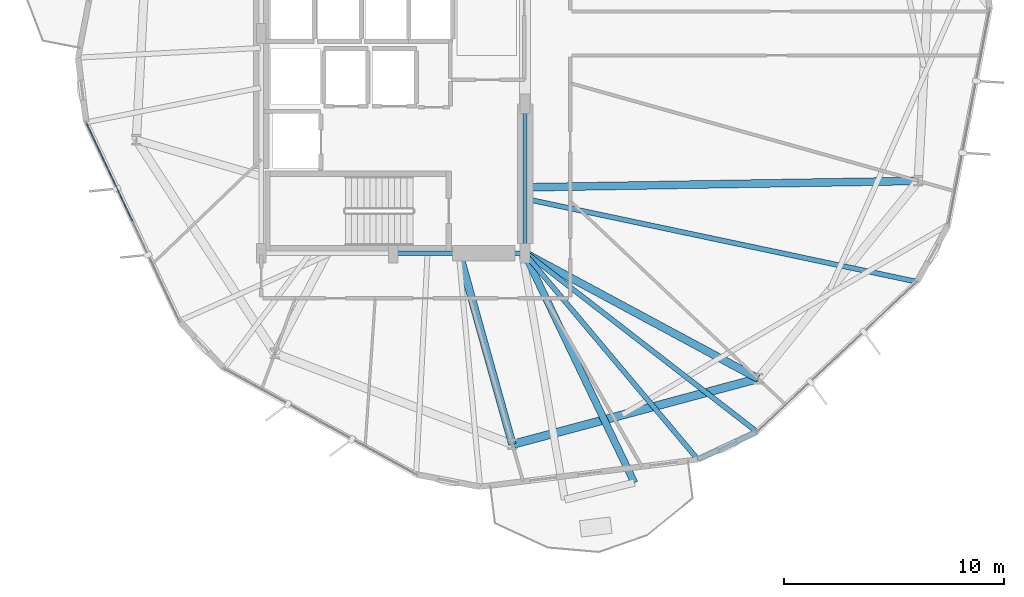
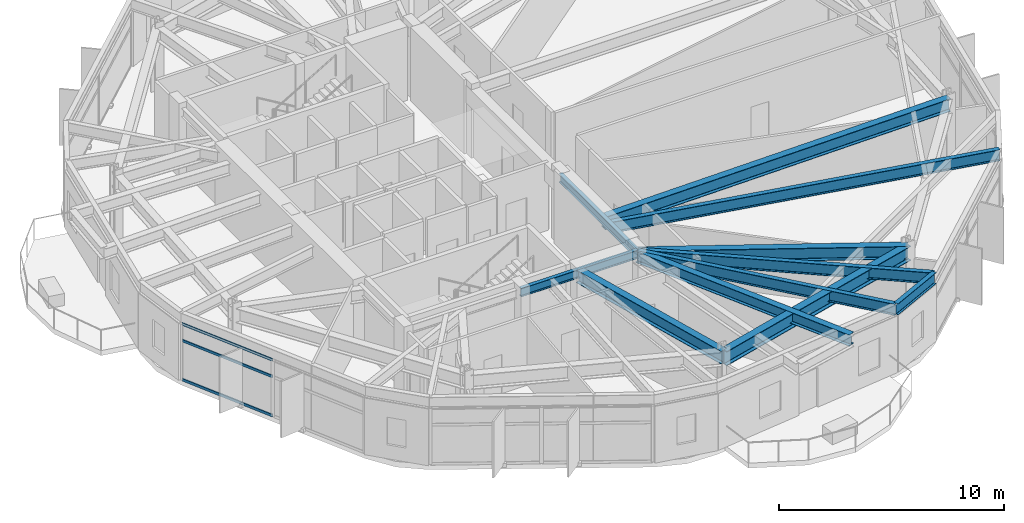
# One storey, part 5 of 22: 11 beams, 3 members, 1 element without a shape of its own.
"""IFC4 building model written with IfcOpenShell, lengths in metres."""

from ifc_helpers import new_model, si_unit, direction, frame, origin, origin_2d, place, context, subcontext, project, spatial, hollow_rectangle, i_section, extrude, material, layer, layer_set, material_profile, profile_set, type_object, element, aggregate, save


model = new_model("IFC4")

# Units and contexts
model_context = context("Model", 3, precision=1e-05, world=origin(), true_north=direction((0.0, 1.0)))
body_context = subcontext(model_context, "Body", "Model", "MODEL_VIEW")
ifc_project = project(units=[si_unit("LENGTHUNIT", "METRE"), si_unit("AREAUNIT", "SQUARE_METRE"), si_unit("VOLUMEUNIT", "CUBIC_METRE"), si_unit("PLANEANGLEUNIT", "RADIAN"), si_unit("MASSUNIT", "GRAM", prefix="KILO")], contexts=[model_context])

# Site, building, storey
site_placement = place(None, origin())
site = spatial("IfcSite", under=ifc_project, at=site_placement, CompositionType="ELEMENT")
building_placement = place(site_placement, origin())
building = spatial("IfcBuilding", under=site, at=building_placement, Name="Soratama Intermodal Tower", CompositionType="ELEMENT")
storey_placement = place(building_placement, frame((0.0, 0.0, 54.60009765625)))
storey = spatial("IfcBuildingStorey", under=building, at=storey_placement, Name="L12", CompositionType="ELEMENT", Elevation=54.60009765625)

# Beams
ifc_material_1 = material(Name="Structural steel ASTM A992 Grade 50", Category="steel")
ifc_material_profile_1 = material_profile(ifc_material_1, i_section(OverallWidth=0.324951171875, OverallDepth=0.615966796875, WebThickness=0.013916015625, FlangeThickness=0.021484375, FilletRadius=0.013916015625, at=origin_2d()), Name="W24X117")
ifc_profile_set_1 = profile_set([ifc_material_profile_1], Name="Structural steel ASTM A992 Grade 50")
beam_type_1 = type_object("IfcBeamType", Name="BM-CANT-W24X117", PredefinedType="BEAM", material=ifc_profile_set_1)
beam_1_placement = place(storey_placement, frame((44.5849609375, 14.964111328125, 3.391845703125), z_axis=(0.432013621929, -0.901867080266, 0.0), x_axis=(0.901867080266, 0.432013621929, 0.0)))
element("IfcBeam", 1, at=beam_1_placement, inside=storey, type_object=beam_type_1, Name="BM-L12-CANT-3-2", PredefinedType="BEAM", context=body_context, shape_type="SweptSolid", body=[
    extrude(i_section(OverallWidth=0.324951171875, OverallDepth=0.615966796875, WebThickness=0.013916015625, FlangeThickness=0.021484375, FilletRadius=0.013916015625, at=origin_2d()), origin(), (0.0, 0.0, 1.0), 11.529541015625),
])
ifc_material_2 = material(Name="Structural steel ASTM A992 Grade 50", Category="steel")
ifc_material_profile_2 = material_profile(ifc_material_2, i_section(OverallWidth=0.19091796875, OverallDepth=0.4599609375, WebThickness=0.010009765625, FlangeThickness=0.01611328125, FilletRadius=0.010986328125, at=origin_2d()), Name="W18X55")
ifc_profile_set_2 = profile_set([ifc_material_profile_2], Name="Structural steel ASTM A992 Grade 50")
beam_type_2 = type_object("IfcBeamType", Name="BM-FLR-W18X55", PredefinedType="BEAM", material=ifc_profile_set_2)
beam_2_placement = place(storey_placement, frame((38.60009765625, 15.0, 3.469970703125), z_axis=(1.0, 0.0, 0.0), x_axis=(0.0, 1.0, 0.0)))
element("IfcBeam", 2, at=beam_2_placement, inside=storey, type_object=beam_type_2, Name="BM-L12-CRING-02", PredefinedType="BEAM", context=body_context, shape_type="SweptSolid", body=[
    extrude(i_section(OverallWidth=0.19091796875, OverallDepth=0.4599609375, WebThickness=0.010009765625, FlangeThickness=0.01611328125, FilletRadius=0.010986328125, at=origin_2d()), origin(), (0.0, 0.0, 1.0), 6.0),
])
beam_3_placement = place(storey_placement, frame((44.60009765625, 15.0, 3.469970703125), z_axis=(0.0, 1.0, 0.0), x_axis=(-1.0, 0.0, 0.0)))
element("IfcBeam", 3, at=beam_3_placement, inside=storey, type_object=beam_type_2, Name="BM-L12-CRING-03", PredefinedType="BEAM", context=body_context, shape_type="SweptSolid", body=[
    extrude(i_section(OverallWidth=0.19091796875, OverallDepth=0.4599609375, WebThickness=0.010009765625, FlangeThickness=0.01611328125, FilletRadius=0.010986328125, at=origin_2d()), origin(), (0.0, 0.0, 1.0), 6.800048828125),
])
ifc_material_3 = material(Name="Structural steel ASTM A992 Grade 50", Category="steel")
ifc_material_profile_3 = material_profile(ifc_material_3, i_section(OverallWidth=0.35498046875, OverallDepth=0.695068359375, WebThickness=0.015380859375, FlangeThickness=0.02490234375, FilletRadius=0.01611328125, at=origin_2d()), Name="W27X146")
ifc_profile_set_3 = profile_set([ifc_material_profile_3], Name="Structural steel ASTM A992 Grade 50")
beam_type_3 = type_object("IfcBeamType", Name="BM-RING-W27X146", PredefinedType="BEAM", material=ifc_profile_set_3)
beam_4_placement = place(storey_placement, frame((41.60009765625, 15.0, 3.352294921875), z_axis=(0.26814752121, -0.963377862974, 0.0), x_axis=(0.963377862974, 0.26814752121, 0.0)))
element("IfcBeam", 4, at=beam_4_placement, inside=storey, type_object=beam_type_3, Name="BM-L12-RAD-08", PredefinedType="BEAM", context=body_context, shape_type="SweptSolid", body=[
    extrude(i_section(OverallWidth=0.35498046875, OverallDepth=0.695068359375, WebThickness=0.015380859375, FlangeThickness=0.02490234375, FilletRadius=0.01611328125, at=origin_2d()), origin(), (0.0, 0.0, 1.0), 9.024658203125),
])
beam_5_placement = place(storey_placement, frame((44.60009765625, 15.0, 3.352294921875), z_axis=(0.880663887759, -0.473741613961, 0.0), x_axis=(0.473741613961, 0.880663887759, 0.0)))
element("IfcBeam", 5, at=beam_5_placement, inside=storey, type_object=beam_type_3, Name="BM-L12-RAD-09", PredefinedType="BEAM", context=body_context, shape_type="SweptSolid", body=[
    extrude(i_section(OverallWidth=0.35498046875, OverallDepth=0.695068359375, WebThickness=0.015380859375, FlangeThickness=0.02490234375, FilletRadius=0.01611328125, at=origin_2d()), origin(), (0.0, 0.0, 1.0), 12.03173828125),
])
beam_6_placement = place(storey_placement, frame((44.60009765625, 18.0, 3.352294921875), z_axis=(0.999867526408, 0.016276659176, 0.0), x_axis=(-0.016276659176, 0.999867526408, 0.0)))
element("IfcBeam", 6, at=beam_6_placement, inside=storey, type_object=beam_type_3, Name="BM-L12-RAD-10", PredefinedType="BEAM", context=body_context, shape_type="SweptSolid", body=[
    extrude(i_section(OverallWidth=0.35498046875, OverallDepth=0.695068359375, WebThickness=0.015380859375, FlangeThickness=0.02490234375, FilletRadius=0.01611328125, at=origin_2d()), origin(), (0.0, 0.0, 1.0), 17.87939453125),
])
ifc_material_4 = material(Name="Structural steel ASTM A992 Grade 50", Category="steel")
ifc_material_profile_4 = material_profile(ifc_material_4, i_section(OverallWidth=0.382080078125, OverallDepth=0.779052734375, WebThickness=0.01806640625, FlangeThickness=0.030029296875, FilletRadius=0.01806640625, at=origin_2d()), Name="W30X191")
ifc_profile_set_4 = profile_set([ifc_material_profile_4], Name="Structural steel ASTM A992 Grade 50")
beam_type_4 = type_object("IfcBeamType", Name="BM-RING-W30X191", PredefinedType="BEAM", material=ifc_profile_set_4)
beam_7_placement = place(storey_placement, frame((44.02001953125, 6.305908203125, 3.310302734375), z_axis=(0.965935902196, 0.258781438376, 0.0), x_axis=(-0.258781438376, 0.965935902196, 0.0)))
element("IfcBeam", 7, at=beam_7_placement, inside=storey, type_object=beam_type_4, Name="BM-L12-RING-08", PredefinedType="BEAM", context=body_context, shape_type="SweptSolid", body=[
    extrude(i_section(OverallWidth=0.382080078125, OverallDepth=0.779052734375, WebThickness=0.01806640625, FlangeThickness=0.030029296875, FilletRadius=0.01806640625, at=origin_2d()), origin(), (0.0, 0.0, 1.0), 11.570068359375),
])
ifc_material_5 = material(Name="Structural steel ASTM A992 Grade 50", Category="steel")
ifc_material_profile_5 = material_profile(ifc_material_5, i_section(OverallWidth=0.22900390625, OverallDepth=0.612060546875, WebThickness=0.011962890625, FlangeThickness=0.01953125, FilletRadius=0.012939453125, at=origin_2d()), Name="W24X84")
ifc_profile_set_5 = profile_set([ifc_material_profile_5], Name="Structural steel ASTM A992 Grade 50")
beam_type_5 = type_object("IfcBeamType", Name="BM-SPN-W24X84", PredefinedType="SPANDREL", material=ifc_profile_set_5)
beam_8_placement = place(storey_placement, frame((52.4560546875, 5.6201171875, 3.393798828125), z_axis=(0.905369970209, 0.424623618095, 0.0), x_axis=(-0.424623618095, 0.905369970209, 0.0)))
element("IfcBeam", 8, at=beam_8_placement, inside=storey, type_object=beam_type_5, Name="BS-L12-CRN08", PredefinedType="SPANDREL", context=body_context, shape_type="SweptSolid", body=[
    extrude(i_section(OverallWidth=0.22900390625, OverallDepth=0.612060546875, WebThickness=0.011962890625, FlangeThickness=0.01953125, FilletRadius=0.012939453125, at=origin_2d()), origin(), (0.0, 0.0, 1.0), 2.966796875),
])
ifc_material_6 = material(Name="Structural steel ASTM A992 Grade 50", Category="steel")
ifc_material_profile_6 = material_profile(ifc_material_6, i_section(OverallWidth=0.22900390625, OverallDepth=0.612060546875, WebThickness=0.011962890625, FlangeThickness=0.01953125, FilletRadius=0.012939453125, at=origin_2d()), Name="W24X84")
ifc_profile_set_6 = profile_set([ifc_material_profile_6], Name="Structural steel ASTM A992 Grade 50")
beam_type_6 = type_object("IfcBeamType", Name="BM-TIE-W24X84", PredefinedType="BEAM", material=ifc_profile_set_6)
beam_9_placement = place(storey_placement, frame((44.59912109375, 14.968994140625, 3.393798828125), z_axis=(0.64337820181, -0.765548489278, 0.0), x_axis=(0.765548489278, 0.64337820181, 0.0)))
element("IfcBeam", 9, at=beam_9_placement, inside=storey, type_object=beam_type_6, Name="BM-L12-TIE1-08", PredefinedType="BEAM", context=body_context, shape_type="SweptSolid", body=[
    extrude(i_section(OverallWidth=0.22900390625, OverallDepth=0.612060546875, WebThickness=0.011962890625, FlangeThickness=0.01953125, FilletRadius=0.012939453125, at=origin_2d()), origin(), (0.0, 0.0, 1.0), 12.2119140625),
])
beam_10_placement = place(storey_placement, frame((44.632080078125, 15.02197265625, 3.393798828125), z_axis=(0.7905304034, -0.612422796195, 0.0), x_axis=(0.612422796195, 0.7905304034, 0.0)))
element("IfcBeam", 10, at=beam_10_placement, inside=storey, type_object=beam_type_6, Name="BM-L12-TIE0-09", PredefinedType="BEAM", context=body_context, shape_type="SweptSolid", body=[
    extrude(i_section(OverallWidth=0.22900390625, OverallDepth=0.612060546875, WebThickness=0.011962890625, FlangeThickness=0.01953125, FilletRadius=0.012939453125, at=origin_2d()), origin(), (0.0, 0.0, 1.0), 13.294921875),
])
beam_11_placement = place(storey_placement, frame((44.638916015625, 17.469970703125, 3.393798828125), z_axis=(0.97830701005, -0.207160310115, 0.0), x_axis=(0.207160310115, 0.97830701005, 0.0)))
element("IfcBeam", 11, at=beam_11_placement, inside=storey, type_object=beam_type_6, Name="BM-L12-TIE1-09", PredefinedType="BEAM", context=body_context, shape_type="SweptSolid", body=[
    extrude(i_section(OverallWidth=0.22900390625, OverallDepth=0.612060546875, WebThickness=0.011962890625, FlangeThickness=0.01953125, FilletRadius=0.012939453125, at=origin_2d()), origin(), (0.0, 0.0, 1.0), 18.178466796875),
])

# Curtain wall, members
ifc_material_7 = material(Name="Double-glazed aluminium curtain wall", Category="aluminium")
ifc_layer = layer(ifc_material_7, 0.159912109375)
ifc_layer_set = layer_set([ifc_layer], Name="Double-glazed aluminium curtain wall")
curtain_wall_type = type_object("IfcCurtainWallType", Name="CW-SYS-2", PredefinedType="NOTDEFINED", material=ifc_layer_set)
curtain_wall_placement = place(storey_placement, origin())
curtain_wall = element("IfcCurtainWall", 12, at=curtain_wall_placement, inside=storey, type_object=curtain_wall_type, Name="L12 Faceted Curtain Wall F06", PredefinedType="NOTDEFINED")
ifc_material_8 = material(Name="Anodised aluminium AA 6063-T6", Category="aluminium")
ifc_material_profile_7 = material_profile(ifc_material_8, hollow_rectangle(XDim=0.06494140625, YDim=0.14990234375, WallThickness=0.0048828125, InnerFilletRadius=0.0048828125, OuterFilletRadius=0.010009765625, at=origin_2d()), Name="CWT150X65X5")
ifc_profile_set_7 = profile_set([ifc_material_profile_7], Name="Anodised aluminium AA 6063-T6")
member_type = type_object("IfcMemberType", Name="TT-CWT-1", PredefinedType="USERDEFINED", material=ifc_profile_set_7)
member_1_placement = place(storey_placement, frame((24.658935546875, 20.899658203125, 0.02978515625), z_axis=(0.42479130262, -0.905291306276, 0.0), x_axis=(0.905291306276, 0.42479130262, 0.0)))
member_1 = element("IfcMember", 13, at=member_1_placement, type_object=member_type, Name="CW-2 transom 1.1", ObjectType="TRANSOM", PredefinedType="USERDEFINED", context=body_context, shape_type="SweptSolid", body=[
    extrude(hollow_rectangle(XDim=0.06494140625, YDim=0.14990234375, WallThickness=0.0048828125, InnerFilletRadius=0.0048828125, OuterFilletRadius=0.010009765625, at=origin_2d()), origin(), (0.0, 0.0, 1.0), 4.899658203125),
])
member_2_placement = place(storey_placement, frame((24.658935546875, 20.899658203125, 2.14990234375), z_axis=(0.42479130262, -0.905291306276, 0.0), x_axis=(0.905291306276, 0.42479130262, 0.0)))
member_2 = element("IfcMember", 14, at=member_2_placement, type_object=member_type, Name="CW-2 transom 1.2", ObjectType="TRANSOM", PredefinedType="USERDEFINED", context=body_context, shape_type="SweptSolid", body=[
    extrude(hollow_rectangle(XDim=0.06494140625, YDim=0.14990234375, WallThickness=0.0048828125, InnerFilletRadius=0.0048828125, OuterFilletRadius=0.010009765625, at=origin_2d()), origin(), (0.0, 0.0, 1.0), 4.899658203125),
])
member_3_placement = place(storey_placement, frame((24.658935546875, 20.899658203125, 3.048828125), z_axis=(0.42479130262, -0.905291306276, 0.0), x_axis=(0.905291306276, 0.42479130262, 0.0)))
member_3 = element("IfcMember", 15, at=member_3_placement, type_object=member_type, Name="CW-2 transom 1.3", ObjectType="TRANSOM", PredefinedType="USERDEFINED", context=body_context, shape_type="SweptSolid", body=[
    extrude(hollow_rectangle(XDim=0.06494140625, YDim=0.14990234375, WallThickness=0.0048828125, InnerFilletRadius=0.0048828125, OuterFilletRadius=0.010009765625, at=origin_2d()), origin(), (0.0, 0.0, 1.0), 4.899658203125),
])
aggregate(curtain_wall, [member_1, member_2, member_3])

save(model, "model.ifc")
